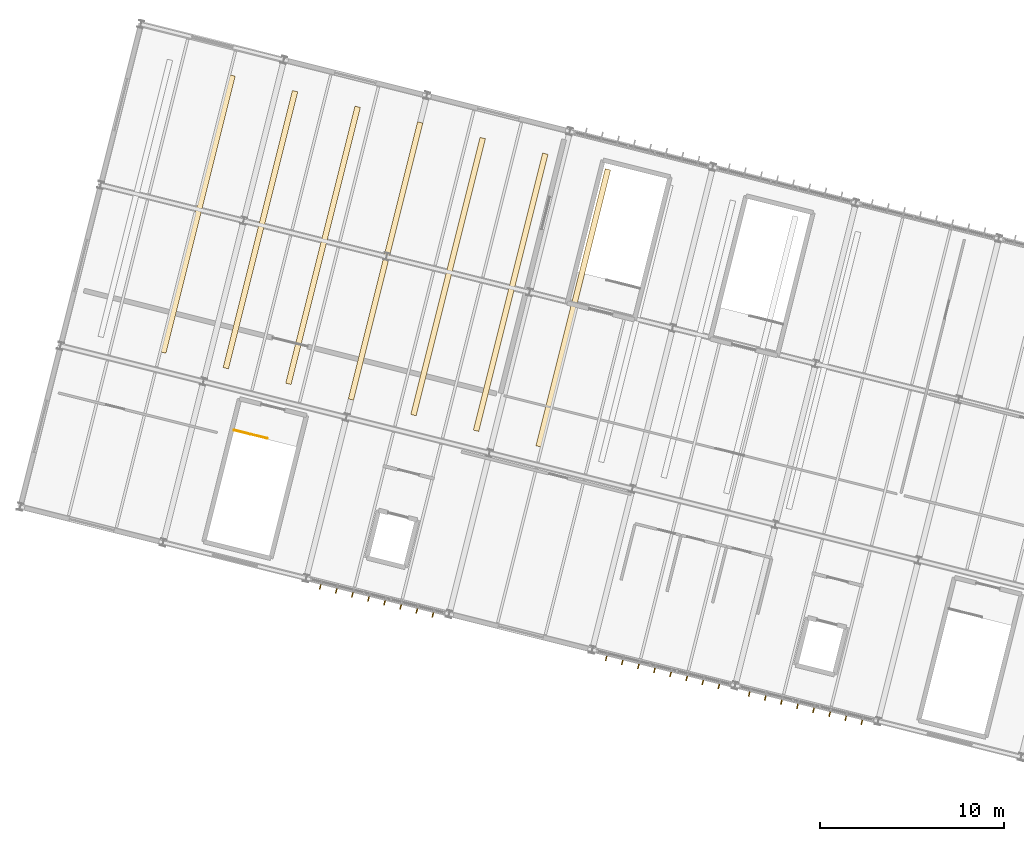
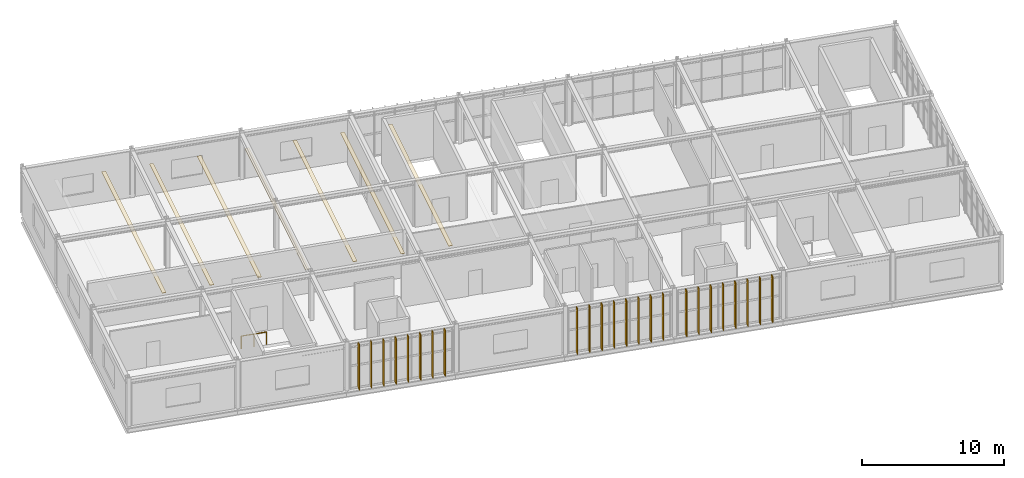
# One storey, part 28 of 30: 24 shading devices, 7 coverings, 1 railing.
"""IFC4 building model written with IfcOpenShell, lengths in metres."""

from ifc_helpers import new_model, si_unit, derived_unit, direction, frame, origin, origin_2d, place, context, subcontext, project, spatial, polyline, rectangle, circle, outline, extrude, material, layer, layer_set, type_object, element, save


model = new_model("IFC4")

# Units and contexts
model_context = context("Model", 3, precision=1e-05, world=origin(), true_north=direction((0.0, 1.0)))
body_context = subcontext(model_context, "Body", "Model", "MODEL_VIEW")
ifc_project = project(units=[si_unit("LENGTHUNIT", "METRE"), si_unit("AREAUNIT", "SQUARE_METRE"), si_unit("VOLUMEUNIT", "CUBIC_METRE"), si_unit("PLANEANGLEUNIT", "RADIAN"), si_unit("MASSUNIT", "GRAM", prefix="KILO"), si_unit("THERMODYNAMICTEMPERATUREUNIT", "KELVIN"), si_unit("TIMEUNIT", "SECOND"), derived_unit("THERMALTRANSMITTANCEUNIT", [(si_unit("MASSUNIT", "GRAM", prefix="KILO"), 1), (si_unit("THERMODYNAMICTEMPERATUREUNIT", "KELVIN"), -1), (si_unit("TIMEUNIT", "SECOND"), -3)])], contexts=[model_context])

# Site, building, storey
site_placement = place(None, origin())
site = spatial("IfcSite", under=ifc_project, at=site_placement, CompositionType="ELEMENT")
building_placement = place(site_placement, origin())
building = spatial("IfcBuilding", under=site, at=building_placement, Name="Cambertide Market Hall", CompositionType="ELEMENT")
storey_placement = place(building_placement, frame((0.0, 0.0, 14.10009765625)))
storey = spatial("IfcBuildingStorey", under=building, at=storey_placement, Name="L04", CompositionType="ELEMENT", Elevation=14.10009765625)

# Coverings
ifc_material_1 = material(Name="Perforated Aluminium Acoustic Baffle", Category="aluminium")
ifc_layer_1 = layer(ifc_material_1, 0.0400390625, Name="Perforated Aluminium Acoustic Baffle 40")
ifc_layer_set_1 = layer_set([ifc_layer_1], Name="Perforated Aluminium Acoustic Baffle")
covering_type = type_object("IfcCoveringType", Name="Perforated Aluminium Acoustic Baffle 40", PredefinedType="CEILING", material=ifc_layer_set_1)
covering_1_placement = place(storey_placement, frame((0.0, 0.0, 3.56982421875)))
element("IfcCovering", 1, at=covering_1_placement, inside=storey, type_object=covering_type, Name="Level 4 Acoustic Ceiling Baffle 02", PredefinedType="CEILING", context=body_context, shape_type="SweptSolid", body=[
    extrude(outline(polyline([(115.61572265625, 108.40380859375), (115.90673828125, 108.3310546875), (119.666015625, 123.368408203125), (119.375, 123.441162109375), (115.61572265625, 108.40380859375)])), origin(), (0.0, 0.0, 1.0), 0.0400390625),
])
covering_2_placement = place(storey_placement, frame((0.0, 0.0, 3.56982421875)))
element("IfcCovering", 2, at=covering_2_placement, inside=storey, type_object=covering_type, Name="Level 4 Acoustic Ceiling Baffle 03", PredefinedType="CEILING", context=body_context, shape_type="SweptSolid", body=[
    extrude(outline(polyline([(119.01123046875, 107.554931640625), (119.30224609375, 107.482177734375), (123.0615234375, 122.51953125), (122.7705078125, 122.59228515625), (119.01123046875, 107.554931640625)])), origin(), (0.0, 0.0, 1.0), 0.0400390625),
])
covering_3_placement = place(storey_placement, frame((0.0, 0.0, 3.56982421875)))
element("IfcCovering", 3, at=covering_3_placement, inside=storey, type_object=covering_type, Name="Level 4 Acoustic Ceiling Baffle 04", PredefinedType="CEILING", context=body_context, shape_type="SweptSolid", body=[
    extrude(outline(polyline([(122.406494140625, 106.7060546875), (122.69775390625, 106.63330078125), (126.45703125, 121.670654296875), (126.166015625, 121.743408203125), (122.406494140625, 106.7060546875)])), origin(), (0.0, 0.0, 1.0), 0.0400390625),
])
covering_4_placement = place(storey_placement, frame((0.0, 0.0, 3.56982421875)))
element("IfcCovering", 4, at=covering_4_placement, inside=storey, type_object=covering_type, Name="Level 4 Acoustic Ceiling Baffle 05", PredefinedType="CEILING", context=body_context, shape_type="SweptSolid", body=[
    extrude(outline(polyline([(125.802001953125, 105.857177734375), (126.09326171875, 105.784423828125), (129.8525390625, 120.82177734375), (129.5615234375, 120.89453125), (125.802001953125, 105.857177734375)])), origin(), (0.0, 0.0, 1.0), 0.0400390625),
])
covering_5_placement = place(storey_placement, frame((0.0, 0.0, 3.56982421875)))
element("IfcCovering", 5, at=covering_5_placement, inside=storey, type_object=covering_type, Name="Level 4 Acoustic Ceiling Baffle 06", PredefinedType="CEILING", context=body_context, shape_type="SweptSolid", body=[
    extrude(outline(polyline([(129.197509765625, 105.00830078125), (129.48876953125, 104.935546875), (133.248046875, 119.972900390625), (132.95703125, 120.045654296875), (129.197509765625, 105.00830078125)])), origin(), (0.0, 0.0, 1.0), 0.0400390625),
])
covering_6_placement = place(storey_placement, frame((0.0, 0.0, 3.56982421875)))
element("IfcCovering", 6, at=covering_6_placement, inside=storey, type_object=covering_type, Name="Level 4 Acoustic Ceiling Baffle 07", PredefinedType="CEILING", context=body_context, shape_type="SweptSolid", body=[
    extrude(outline(polyline([(132.593017578125, 104.159423828125), (132.884033203125, 104.086669921875), (136.6435546875, 119.1240234375), (136.352294921875, 119.19677734375), (132.593017578125, 104.159423828125)])), origin(), (0.0, 0.0, 1.0), 0.0400390625),
])
covering_7_placement = place(storey_placement, frame((0.0, 0.0, 3.56982421875)))
element("IfcCovering", 7, at=covering_7_placement, inside=storey, type_object=covering_type, Name="Level 4 Acoustic Ceiling Baffle 08", PredefinedType="CEILING", context=body_context, shape_type="SweptSolid", body=[
    extrude(outline(polyline([(135.988525390625, 103.310546875), (136.279541015625, 103.23779296875), (140.0390625, 118.275146484375), (139.747802734375, 118.347900390625), (135.988525390625, 103.310546875)])), origin(), (0.0, 0.0, 1.0), 0.0400390625),
])

# Railing
ifc_material_2 = material(Name="Stainless Steel Grade 316", Category="metal")
railing_type = type_object("IfcRailingType", Name="Stairwell Inner Guardrail 1100", PredefinedType="GUARDRAIL", material=ifc_material_2)
railing_placement = place(storey_placement, frame((119.605224609375, 104.159423828125, 0.0)))
element("IfcRailing", 8, at=railing_placement, inside=storey, type_object=railing_type, Name="Level 4 ST-07A top well guard 1", PredefinedType="GUARDRAIL", context=body_context, shape_type="SweptSolid", body=[
    extrude(circle(Radius=0.02392578125, at=origin_2d()), frame((0.0, 0.0, 1.076171875), z_axis=(0.970142500145, -0.242535625036, 0.0), x_axis=(0.242535625036, 0.970142500145, 0.0)), (0.0, 0.0, 1.0), 1.85009765625),
    extrude(circle(Radius=0.02099609375, at=origin_2d()), origin(), (0.0, 0.0, 1.0), 1.052001953125),
    extrude(circle(Radius=0.02099609375, at=origin_2d()), frame((0.8974609375, -0.224365234375, 0.0)), (0.0, 0.0, 1.0), 1.052001953125),
    extrude(circle(Radius=0.02099609375, at=origin_2d()), frame((1.794921875, -0.44873046875, 0.0)), (0.0, 0.0, 1.0), 1.052001953125),
])

# Shading devices
ifc_material_3 = material(Name="Champagne Marine Anodized Aluminium 6063-T6 AA25", Category="aluminium")
ifc_layer_2 = layer(ifc_material_3, 0.054931640625, Name="Wing Facade Vertical Sun Fin 380x55")
ifc_layer_set_2 = layer_set([ifc_layer_2], Name="Champagne Marine Anodized Aluminium 6063-T6 AA25")
shading_device_type = type_object("IfcShadingDeviceType", Name="Wing Facade Vertical Sun Fin 380x55", PredefinedType="JALOUSIE", material=ifc_layer_set_2)
for number, where, z_axis, x_axis, name in (
    (9, (130.407958984375, 94.181640625, 0.0), (0.0, 0.0, 1.0), (-0.970142531436, 0.242535499875, 0.0), "CW-V4S-L04-3 Vertical Fin 1"),
    (10, (129.53466796875, 94.39990234375, 0.0), (0.0, 0.0, 1.0), (-0.970142531436, 0.242535499875, 0.0), "CW-V4S-L04-3 Vertical Fin 2"),
    (11, (128.66162109375, 94.6181640625, 0.0), (0.0, 0.0, 1.0), (-0.970142531436, 0.242535499875, 0.0), "CW-V4S-L04-3 Vertical Fin 3"),
    (12, (127.78857421875, 94.83642578125, 0.0), (0.0, 0.0, 1.0), (-0.970142531436, 0.242535499875, 0.0), "CW-V4S-L04-3 Vertical Fin 4"),
    (13, (126.915283203125, 95.0546875, 0.0), (0.0, 0.0, 1.0), (-0.970142531436, 0.242535499875, 0.0), "CW-V4S-L04-3 Vertical Fin 5"),
    (14, (126.042236328125, 95.27294921875, 0.0), (0.0, 0.0, 1.0), (-0.970142531436, 0.242535499875, 0.0), "CW-V4S-L04-3 Vertical Fin 6"),
    (15, (125.169189453125, 95.4912109375, 0.0), (0.0, 0.0, 1.0), (-0.970142531436, 0.242535499875, 0.0), "CW-V4S-L04-3 Vertical Fin 7"),
    (16, (124.2958984375, 95.70947265625, 0.0), (0.0, 0.0, 1.0), (-0.970142531436, 0.242535499875, 0.0), "CW-V4S-L04-3 Vertical Fin 8"),
    (17, (145.93017578125, 90.301025390625, 0.0), (0.0, 0.0, 1.0), (-0.970142531436, 0.242535499875, 0.0), "CW-V4S-L04-5 Vertical Fin 1"),
    (18, (145.05712890625, 90.519287109375, 0.0), (0.0, 0.0, 1.0), (-0.970142531436, 0.242535499875, 0.0), "CW-V4S-L04-5 Vertical Fin 2"),
    (19, (144.183837890625, 90.737548828125, 0.0), (0.0, 0.0, 1.0), (-0.970142531436, 0.242535499875, 0.0), "CW-V4S-L04-5 Vertical Fin 3"),
    (20, (143.310791015625, 90.955810546875, 0.0), (0.0, 0.0, 1.0), (-0.970142531436, 0.242535499875, 0.0), "CW-V4S-L04-5 Vertical Fin 4"),
    (21, (142.437744140625, 91.174072265625, 0.0), (0.0, 0.0, 1.0), (-0.970142531436, 0.242535499875, 0.0), "CW-V4S-L04-5 Vertical Fin 5"),
    (22, (141.564453125, 91.392333984375, 0.0), (0.0, 0.0, 1.0), (-0.970142531436, 0.242535499875, 0.0), "CW-V4S-L04-5 Vertical Fin 6"),
    (23, (140.69140625, 91.610595703125, 0.0), (0.0, 0.0, 1.0), (-0.970142531436, 0.242535499875, 0.0), "CW-V4S-L04-5 Vertical Fin 7"),
    (24, (139.818359375, 91.828857421875, 0.0), (0.0, 0.0, 1.0), (-0.970142531436, 0.242535499875, 0.0), "CW-V4S-L04-5 Vertical Fin 8"),
    (25, (153.69140625, 88.360595703125, 0.0), (0.0, 0.0, 1.0), (-0.970142531436, 0.242535499875, 0.0), "CW-V4S-L04-6 Vertical Fin 1"),
    (26, (152.818115234375, 88.5791015625, 0.0), (0.0, 0.0, 1.0), (-0.970142531436, 0.242535499875, 0.0), "CW-V4S-L04-6 Vertical Fin 2"),
    (27, (151.945068359375, 88.79736328125, 0.0), (0.0, 0.0, 1.0), (-0.970142531436, 0.242535499875, 0.0), "CW-V4S-L04-6 Vertical Fin 3"),
    (28, (151.072021484375, 89.015625, 0.0), (0.0, 0.0, 1.0), (-0.970142531436, 0.242535499875, 0.0), "CW-V4S-L04-6 Vertical Fin 4"),
    (29, (150.19873046875, 89.23388671875, 0.0), (0.0, 0.0, 1.0), (-0.970142531436, 0.242535499875, 0.0), "CW-V4S-L04-6 Vertical Fin 5"),
    (30, (149.32568359375, 89.4521484375, 0.0), (0.0, 0.0, 1.0), (-0.970142531436, 0.242535499875, 0.0), "CW-V4S-L04-6 Vertical Fin 6"),
    (31, (148.45263671875, 89.67041015625, 0.0), (0.0, 0.0, 1.0), (-0.970142531436, 0.242535499875, 0.0), "CW-V4S-L04-6 Vertical Fin 7"),
    (32, (147.579345703125, 89.888671875, 0.0), (0.0, 0.0, 1.0), (-0.970142531436, 0.242535499875, 0.0), "CW-V4S-L04-6 Vertical Fin 8"),
):
    element("IfcShadingDevice", number, at=place(storey_placement, frame(where, z_axis=z_axis, x_axis=x_axis)), inside=storey, type_object=shading_device_type, Name=name, PredefinedType="JALOUSIE", context=body_context, shape_type="SweptSolid", body=[
        extrude(rectangle(XDim=0.054931640625, YDim=0.3798828125, at=origin_2d()), origin(), (0.0, 0.0, 1.0), 3.9599609375),
    ])

save(model, "model.ifc")
